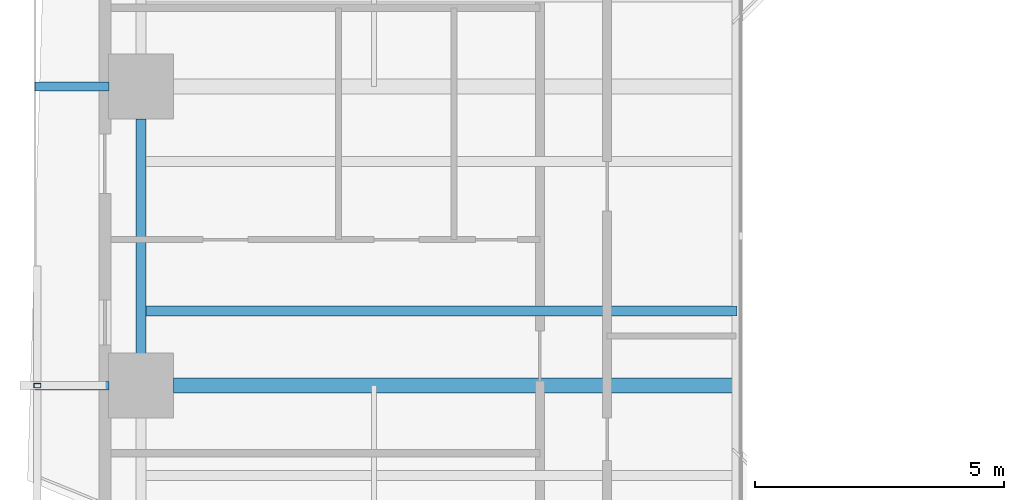
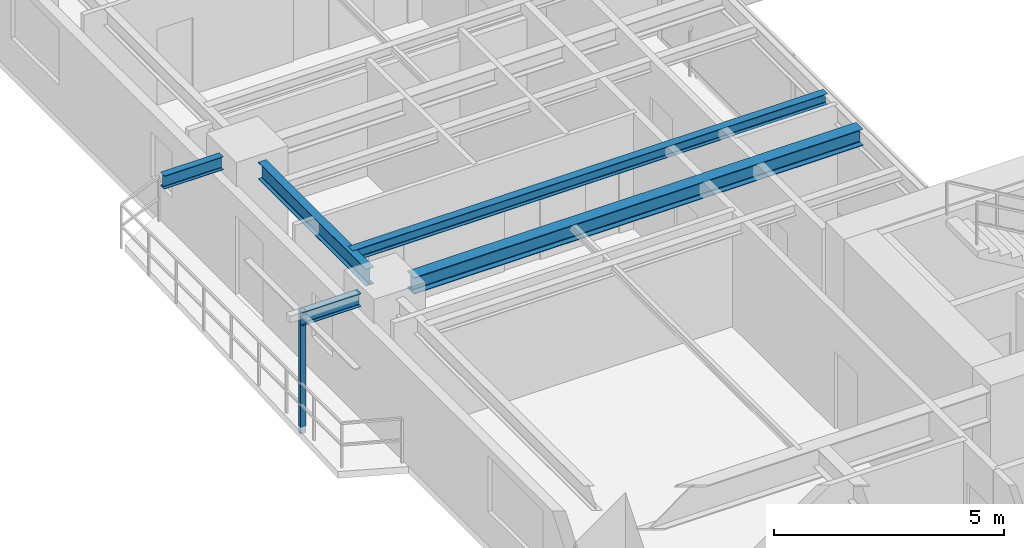
# One storey, part 3 of 23: 5 beams, 1 member.
"""IFC4 building model written with IfcOpenShell, lengths in metres."""

from ifc_helpers import new_model, si_unit, direction, frame, origin, origin_2d, place, context, subcontext, project, spatial, hollow_rectangle, i_section, extrude, source, transform, mapped, material, material_profile, profile_set, type_object, element, save


model = new_model("IFC4")

# Units and contexts
model_context = context("Model", 3, precision=1e-05, world=origin(), true_north=direction((0.0, 1.0)))
body_context = subcontext(model_context, "Body", "Model", "MODEL_VIEW")
ifc_project = project(units=[si_unit("LENGTHUNIT", "METRE"), si_unit("AREAUNIT", "SQUARE_METRE"), si_unit("VOLUMEUNIT", "CUBIC_METRE"), si_unit("PLANEANGLEUNIT", "RADIAN"), si_unit("MASSUNIT", "GRAM", prefix="KILO"), si_unit("THERMODYNAMICTEMPERATUREUNIT", "KELVIN"), si_unit("POWERUNIT", "WATT")], contexts=[model_context])

# Site, building, storey
site_placement = place(None, origin())
site = spatial("IfcSite", under=ifc_project, at=site_placement, CompositionType="ELEMENT")
building_placement = place(site_placement, origin())
building = spatial("IfcBuilding", under=site, at=building_placement, Name="Qiaomeng Ring Towers", CompositionType="ELEMENT")
storey_placement = place(building_placement, frame((0.0, 0.0, 82.75)))
storey = spatial("IfcBuildingStorey", under=building, at=storey_placement, Name="L23", CompositionType="ELEMENT", Elevation=82.75)

# Beams
ifc_material_1 = material(Name="Steel Q355B", Category="steel")
ifc_material_profile_1 = material_profile(ifc_material_1, i_section(OverallWidth=0.199951171875, OverallDepth=0.449951171875, WebThickness=0.009033203125, FlangeThickness=0.013916015625, FilletRadius=0.01806640625, at=origin_2d()), Name="HN 450x200x9x14")
ifc_profile_set_1 = profile_set([ifc_material_profile_1], Name="Steel Q355B")
beam_type_1 = type_object("IfcBeamType", Name="STR-BM-HN450", PredefinedType="SPANDREL", material=ifc_profile_set_1)
shared_shape_1 = source(origin(), body_context, "Body", "SweptSolid", [
    extrude(i_section(OverallWidth=0.199951171875, OverallDepth=0.449951171875, WebThickness=0.009033203125, FlangeThickness=0.013916015625, FilletRadius=0.01806640625, at=origin_2d()), origin(), (0.0, 0.0, 1.0), 4.7021484375),
])
beam_1_placement = place(storey_placement, frame((0.85009765625, 25.35107421875, 2.844970703125), z_axis=(0.0, -1.0, 0.0), x_axis=(1.0, 0.0, 0.0)))
element("IfcBeam", 1, at=beam_1_placement, inside=storey, type_object=beam_type_1, Name="L23 beam STR-SP-L23-T1-W3-W2", PredefinedType="SPANDREL", context=body_context, shape_type="MappedRepresentation", body=[
    mapped(shared_shape_1, transform((0.0, 0.0, 0.0), x_axis=(1.0, 0.0, 0.0), y_axis=(0.0, 1.0, 0.0), z_axis=(0.0, 0.0, 1.0), scale=1.0)),
])
ifc_material_profile_2 = material_profile(ifc_material_1, i_section(OverallWidth=0.300048828125, OverallDepth=0.43994140625, WebThickness=0.010986328125, FlangeThickness=0.01806640625, FilletRadius=0.02392578125, at=origin_2d()), Name="HM 440x300x11x18")
ifc_profile_set_2 = profile_set([ifc_material_profile_2], Name="Steel Q355B")
beam_type_2 = type_object("IfcBeamType", Name="STR-BM-HM440", PredefinedType="BEAM", material=ifc_profile_set_2)
shared_shape_2 = source(origin(), body_context, "Body", "SweptSolid", [
    extrude(i_section(OverallWidth=0.300048828125, OverallDepth=0.43994140625, WebThickness=0.010986328125, FlangeThickness=0.01806640625, FilletRadius=0.02392578125, at=origin_2d()), origin(), (0.0, 0.0, 1.0), 11.301025390625),
])
beam_2_placement = place(storey_placement, frame((1.4990234375, 20.0, 2.85009765625), z_axis=(1.0, 0.0, 0.0), x_axis=(0.0, 1.0, 0.0)))
element("IfcBeam", 2, at=beam_2_placement, inside=storey, type_object=beam_type_2, Name="L23 beam STR-BM-L23-T1-RAD-W2", PredefinedType="BEAM", context=body_context, shape_type="MappedRepresentation", body=[
    mapped(shared_shape_2, transform((0.0, 0.0, 0.0), x_axis=(1.0, 0.0, 0.0), y_axis=(0.0, 1.0, 0.0), z_axis=(0.0, 0.0, 1.0), scale=1.0)),
])
ifc_material_profile_3 = material_profile(ifc_material_1, i_section(OverallWidth=0.199951171875, OverallDepth=0.2939453125, WebThickness=0.008056640625, FlangeThickness=0.011962890625, FilletRadius=0.01806640625, at=origin_2d()), Name="HM 294x200x8x12")
ifc_profile_set_3 = profile_set([ifc_material_profile_3], Name="Steel Q355B")
beam_type_3 = type_object("IfcBeamType", Name="STR-BM-HM294", PredefinedType="JOIST", material=ifc_profile_set_3)
shared_shape_3 = source(origin(), body_context, "Body", "SweptSolid", [
    extrude(i_section(OverallWidth=0.199951171875, OverallDepth=0.2939453125, WebThickness=0.008056640625, FlangeThickness=0.011962890625, FilletRadius=0.01806640625, at=origin_2d()), origin(), (0.0, 0.0, 1.0), 11.949951171875),
])
beam_3_placement = place(storey_placement, frame((0.85009765625, 21.5, 2.923095703125), z_axis=(1.0, 0.0, 0.0), x_axis=(0.0, 1.0, 0.0)))
element("IfcBeam", 3, at=beam_3_placement, inside=storey, type_object=beam_type_3, Name="L23 beam STR-JST-L23-T1W-2", PredefinedType="JOIST", context=body_context, shape_type="MappedRepresentation", body=[
    mapped(shared_shape_3, transform((0.0, 0.0, 0.0), x_axis=(1.0, 0.0, 0.0), y_axis=(0.0, 1.0, 0.0), z_axis=(0.0, 0.0, 1.0), scale=1.0)),
])
ifc_material_profile_4 = material_profile(ifc_material_1, i_section(OverallWidth=0.175048828125, OverallDepth=0.35009765625, WebThickness=0.007080078125, FlangeThickness=0.010986328125, FilletRadius=0.013916015625, at=origin_2d()), Name="HN 350x175x7x11")
ifc_profile_set_4 = profile_set([ifc_material_profile_4], Name="Steel Q355B")
beam_type_4 = type_object("IfcBeamType", Name="STR-BM-HN350", PredefinedType="JOIST", material=ifc_profile_set_4)
shared_shape_4 = source(origin(), body_context, "Body", "SweptSolid", [
    extrude(i_section(OverallWidth=0.175048828125, OverallDepth=0.35009765625, WebThickness=0.007080078125, FlangeThickness=0.010986328125, FilletRadius=0.013916015625, at=origin_2d()), origin(), (0.0, 0.0, 1.0), 1.48095703125),
])
for number, where, z_axis, x_axis, name in (
    (4, (-1.280029296875, 20.0, 2.89501953125), (1.0, 0.0, 0.0), (0.0, 1.0, 0.0), "L23 beam STR-BALBM-L23-W2"),
    (5, (-1.280029296875, 26.0, 2.89501953125), (1.0, 0.0, 0.0), (0.0, 1.0, 0.0), "L23 beam STR-BALBM-L23-W3"),
):
    element("IfcBeam", number, at=place(storey_placement, frame(where, z_axis=z_axis, x_axis=x_axis)), inside=storey, type_object=beam_type_4, Name=name, PredefinedType="JOIST", context=body_context, shape_type="MappedRepresentation", body=[
        mapped(shared_shape_4, transform((0.0, 0.0, 0.0), x_axis=(1.0, 0.0, 0.0), y_axis=(0.0, 1.0, 0.0), z_axis=(0.0, 0.0, 1.0), scale=1.0)),
    ])

# Member
ifc_material_2 = material(Name="Stainless steel 316", Category="steel")
ifc_material_profile_5 = material_profile(ifc_material_2, hollow_rectangle(XDim=0.090087890625, YDim=0.139892578125, WallThickness=0.0048828125, at=origin_2d()), Name="SS TRELLIS 90x140")
ifc_profile_set_5 = profile_set([ifc_material_profile_5], Name="Stainless steel 316")
member_type = type_object("IfcMemberType", Name="ARC-TR-POST1", PredefinedType="STUD", material=ifc_profile_set_5)
shared_shape_5 = source(origin(), body_context, "Body", "SweptSolid", [
    extrude(hollow_rectangle(XDim=0.090087890625, YDim=0.139892578125, WallThickness=0.0048828125, at=origin_2d()), origin(), (0.0, 0.0, 1.0), 3.25),
])
member_placement = place(storey_placement, frame((-1.22998046875, 20.0, -0.179931640625), z_axis=(0.0, 0.0, 1.0), x_axis=(0.0, 1.0, 0.0)))
element("IfcMember", 6, at=member_placement, inside=storey, type_object=member_type, Name="L23 Outer Ventilated Trellis Post W", PredefinedType="STUD", context=body_context, shape_type="MappedRepresentation", body=[
    mapped(shared_shape_5, transform((0.0, 0.0, 0.0), x_axis=(1.0, 0.0, 0.0), y_axis=(0.0, 1.0, 0.0), z_axis=(0.0, 0.0, 1.0), scale=1.0)),
])

save(model, "model.ifc")
